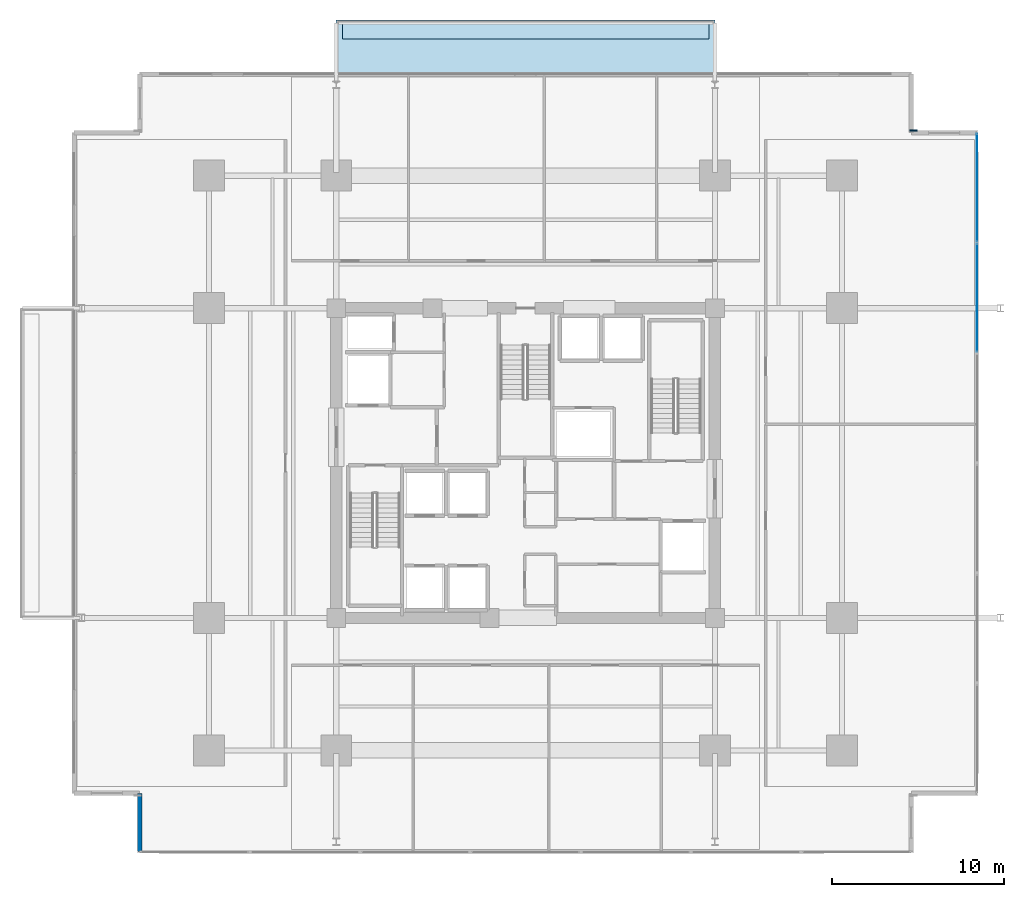
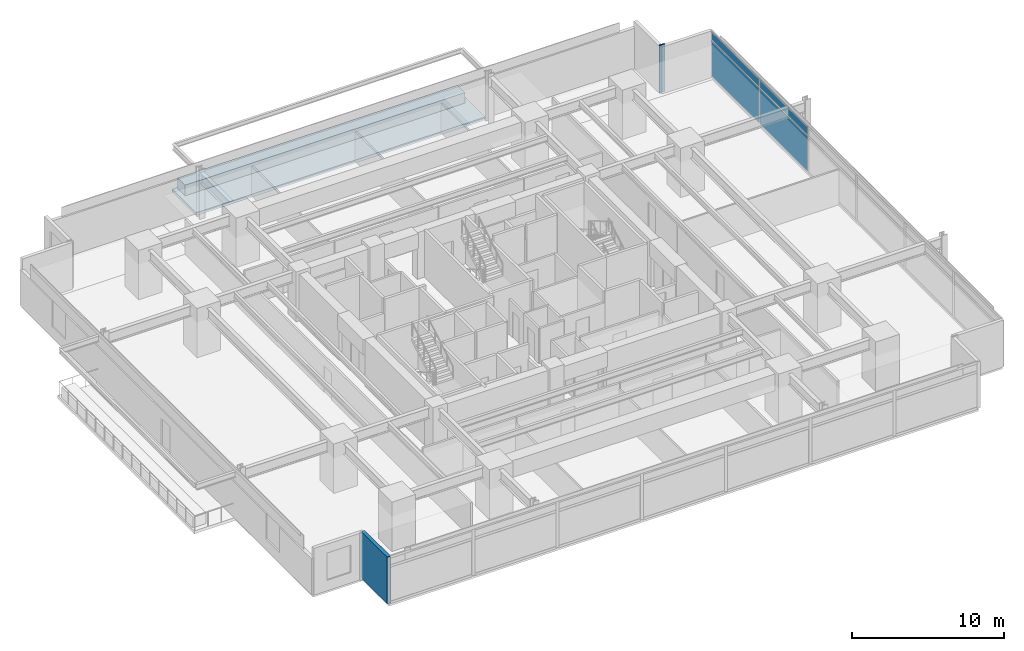
# One storey, part 14 of 22: 5 plates, 2 slabs, 1 wall, 1 element without a shape of its own.
"""IFC4 building model written with IfcOpenShell, lengths in metres."""

from ifc_helpers import new_model, si_unit, direction, frame, frame_2d, origin, origin_2d, place, context, subcontext, project, spatial, polyline, rectangle, outline, extrude, material, layer, layer_set, type_object, element, aggregate, save


model = new_model("IFC4")

# Units and contexts
model_context = context("Model", 3, precision=1e-05, world=origin(), true_north=direction((0.0, 1.0)))
body_context = subcontext(model_context, "Body", "Model", "MODEL_VIEW")
ifc_project = project(units=[si_unit("LENGTHUNIT", "METRE"), si_unit("AREAUNIT", "SQUARE_METRE"), si_unit("VOLUMEUNIT", "CUBIC_METRE"), si_unit("PLANEANGLEUNIT", "RADIAN"), si_unit("MASSUNIT", "GRAM", prefix="KILO")], contexts=[model_context])

# Site, building, storey
site_placement = place(None, origin())
site = spatial("IfcSite", under=ifc_project, at=site_placement, CompositionType="ELEMENT")
building_placement = place(site_placement, origin())
building = spatial("IfcBuilding", under=site, at=building_placement, Name="Kovane Verandah Tower", CompositionType="ELEMENT")
storey_placement = place(building_placement, frame((0.0, 0.0, 79.60009765625)))
storey = spatial("IfcBuildingStorey", under=building, at=storey_placement, Name="L18", CompositionType="ELEMENT", Elevation=79.60009765625)

# Curtain wall, plates
ifc_material_1 = material(Name="Champagne Anodised Aluminium Frame with Low-E Clear Laminated Glass", Category="aluminium")
curtain_wall_type = type_object("IfcCurtainWallType", Name="CW-SYS-02-LOW", PredefinedType="NOTDEFINED", material=ifc_material_1)
curtain_wall_placement = place(storey_placement, origin())
curtain_wall = element("IfcCurtainWall", 1, at=curtain_wall_placement, inside=storey, type_object=curtain_wall_type, Name="L18 E Unitised Curtain Wall", PredefinedType="NOTDEFINED")
ifc_material_2 = material(Name="Pale Champagne Anodised Aluminium Insulated Spandrel", Category="aluminium")
ifc_layer_1 = layer(ifc_material_2, 0.0400390625)
ifc_layer_set_1 = layer_set([ifc_layer_1], Name="Pale Champagne Anodised Aluminium Insulated Spandrel")
plate_type_1 = type_object("IfcPlateType", Name="PL-CW-SPD-40", PredefinedType="SHEET", material=ifc_layer_set_1)
plate_1_placement = place(storey_placement, frame((66.228759765625, 37.10009765625, 3.02978515625), z_axis=(0.0, 0.0, 1.0), x_axis=(0.0, 1.0, 0.0)))
plate_1 = element("IfcPlate", 2, at=plate_1_placement, type_object=plate_type_1, Name="L18 E Unitised Curtain Wall Spandrel Panel 5", PredefinedType="SHEET", context=body_context, shape_type="SweptSolid", body=[
    extrude(rectangle(XDim=6.260009765625, YDim=0.0400390625, at=origin_2d()), origin(), (0.0, 0.0, 1.0), 0.639892578125),
])
plate_2_placement = place(storey_placement, frame((66.228759765625, 43.5, 3.02978515625), z_axis=(0.0, 0.0, 1.0), x_axis=(0.0, 1.0, 0.0)))
plate_2 = element("IfcPlate", 3, at=plate_2_placement, type_object=plate_type_1, Name="L18 E Unitised Curtain Wall Spandrel Panel 6", PredefinedType="SHEET", context=body_context, shape_type="SweptSolid", body=[
    extrude(rectangle(XDim=6.260009765625, YDim=0.0400390625, at=origin_2d()), origin(), (0.0, 0.0, 1.0), 0.639892578125),
])
ifc_material_3 = material(Name="Clear Low-E Laminated Double Glazing", Category="glass")
ifc_layer_2 = layer(ifc_material_3, 0.031982421875)
ifc_layer_set_2 = layer_set([ifc_layer_2], Name="Clear Low-E Laminated Double Glazing")
plate_type_2 = type_object("IfcPlateType", Name="PL-CW-VIS-32", PredefinedType="CURTAIN_PANEL", material=ifc_layer_set_2)
plate_3_placement = place(storey_placement, frame((66.228759765625, 37.10009765625, 0.099853515625), z_axis=(0.0, 0.0, 1.0), x_axis=(0.0, 1.0, 0.0)))
plate_3 = element("IfcPlate", 4, at=plate_3_placement, type_object=plate_type_2, Name="L18 E Unitised Curtain Wall Vision Panel 5", PredefinedType="CURTAIN_PANEL", context=body_context, shape_type="SweptSolid", body=[
    extrude(rectangle(XDim=6.260009765625, YDim=0.031982421875, at=origin_2d()), origin(), (0.0, 0.0, 1.0), 2.830078125),
])
plate_4_placement = place(storey_placement, frame((66.228759765625, 43.5, 0.099853515625), z_axis=(0.0, 0.0, 1.0), x_axis=(0.0, 1.0, 0.0)))
plate_4 = element("IfcPlate", 5, at=plate_4_placement, type_object=plate_type_2, Name="L18 E Unitised Curtain Wall Vision Panel 6", PredefinedType="CURTAIN_PANEL", context=body_context, shape_type="SweptSolid", body=[
    extrude(rectangle(XDim=6.260009765625, YDim=0.031982421875, at=origin_2d()), origin(), (0.0, 0.0, 1.0), 2.830078125),
])
aggregate(curtain_wall, [plate_3, plate_1, plate_4, plate_2])

# Plate
ifc_material_4 = material(Name="Timber-Toned Subtropical Aluminium Vertical Blade", Category="wood")
ifc_layer_3 = layer(ifc_material_4, 0.090087890625)
ifc_layer_set_3 = layer_set([ifc_layer_3], Name="Timber-Toned Subtropical Aluminium Vertical Blade")
plate_type_3 = type_object("IfcPlateType", Name="PL-FIN-90", PredefinedType="USERDEFINED", material=ifc_layer_set_3)
plate_5_placement = place(storey_placement, frame((62.548583984375, 46.820068359375, -0.02001953125), z_axis=(0.0, 0.0, 1.0), x_axis=(1.0, 0.0, 0.0)))
element("IfcPlate", 6, at=plate_5_placement, inside=storey, type_object=plate_type_3, Name="L18 NE Timber-Toned Vertical Corner Fin", ObjectType="FIN", PredefinedType="USERDEFINED", context=body_context, shape_type="SweptSolid", body=[
    extrude(rectangle(XDim=0.419921875, YDim=0.090087890625, at=origin_2d()), origin(), (0.0, 0.0, 1.0), 3.820068359375),
])

# Slabs
ifc_material_5 = material(Name="Concrete C45/55", Category="concrete")
ifc_layer_4 = layer(ifc_material_5, 0.239990234375)
ifc_layer_set_4 = layer_set([ifc_layer_4], Name="Concrete C45/55")
slab_type_1 = type_object("IfcSlabType", Name="SL-BALC-240", PredefinedType="FLOOR", material=ifc_layer_set_4)
slab_1_placement = place(storey_placement, frame((0.0, 0.0, -0.239990234375)))
element("IfcSlab", 7, at=slab_1_placement, inside=storey, type_object=slab_type_1, Name="L18 N Planted Verandah Balcony Slab", PredefinedType="FLOOR", context=body_context, shape_type="SweptSolid", body=[
    extrude(outline(polyline([(29.0, 50.10009765625), (51.0, 50.10009765625), (51.0, 53.25), (29.0, 53.25), (29.0, 50.10009765625)])), origin(), (0.0, 0.0, 1.0), 0.239990234375),
])
ifc_material_6 = material(Name="Architectural Precast Concrete C45/55 Planter Trough", Category="concrete")
ifc_layer_5 = layer(ifc_material_6, 0.219970703125)
ifc_layer_set_5 = layer_set([ifc_layer_5], Name="Architectural Precast Concrete C45/55 Planter Trough")
slab_type_2 = type_object("IfcSlabType", Name="SL-PLANTER-220", PredefinedType="USERDEFINED", material=ifc_layer_set_5)
slab_2_placement = place(storey_placement, origin())
element("IfcSlab", 8, at=slab_2_placement, inside=storey, type_object=slab_type_2, Name="L18 N Structural Tree Planter", ObjectType="PLANTER", PredefinedType="USERDEFINED", context=body_context, shape_type="SweptSolid", body=[
    extrude(outline(polyline([(29.35009765625, 52.150146484375), (50.64990234375, 52.150146484375), (50.64990234375, 53.150146484375), (29.35009765625, 53.150146484375), (29.35009765625, 52.150146484375)])), origin(), (0.0, 0.0, 1.0), 0.849853515625),
])

# Wall
ifc_material_7 = material(Name="Concrete C45/55 Insulated Spandrel Wall", Category="concrete")
ifc_layer_6 = layer(ifc_material_7, 0.260009765625)
ifc_layer_set_6 = layer_set([ifc_layer_6], Name="Concrete C45/55 Insulated Spandrel Wall")
wall_type = type_object("IfcWallType", Name="WL-SPANDREL-260", PredefinedType="PARAPET", material=ifc_layer_set_6)
wall_placement = place(storey_placement, frame((17.5712890625, 8.2998046875, 0.0), z_axis=(0.0, 0.0, 1.0), x_axis=(0.0, -1.0, 0.0)))
element("IfcWall", 9, at=wall_placement, inside=storey, type_object=wall_type, Name="L18 SW Notch Cheek Wall 2", PredefinedType="PARAPET", context=body_context, shape_type="SweptSolid", body=[
    extrude(rectangle(XDim=3.39990234375, YDim=0.260009765625, at=frame_2d((1.699951171875, 0.0))), origin(), (0.0, 0.0, 1.0), 3.760009765625),
])

save(model, "model.ifc")
